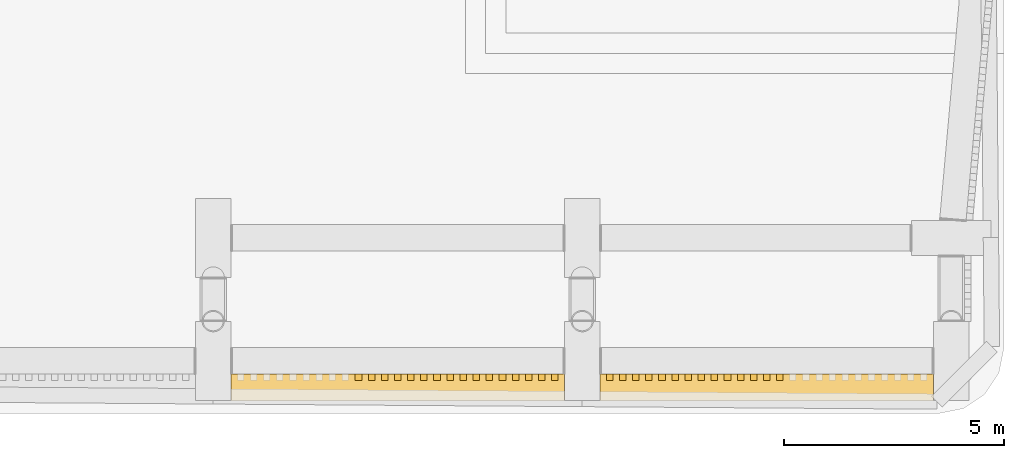
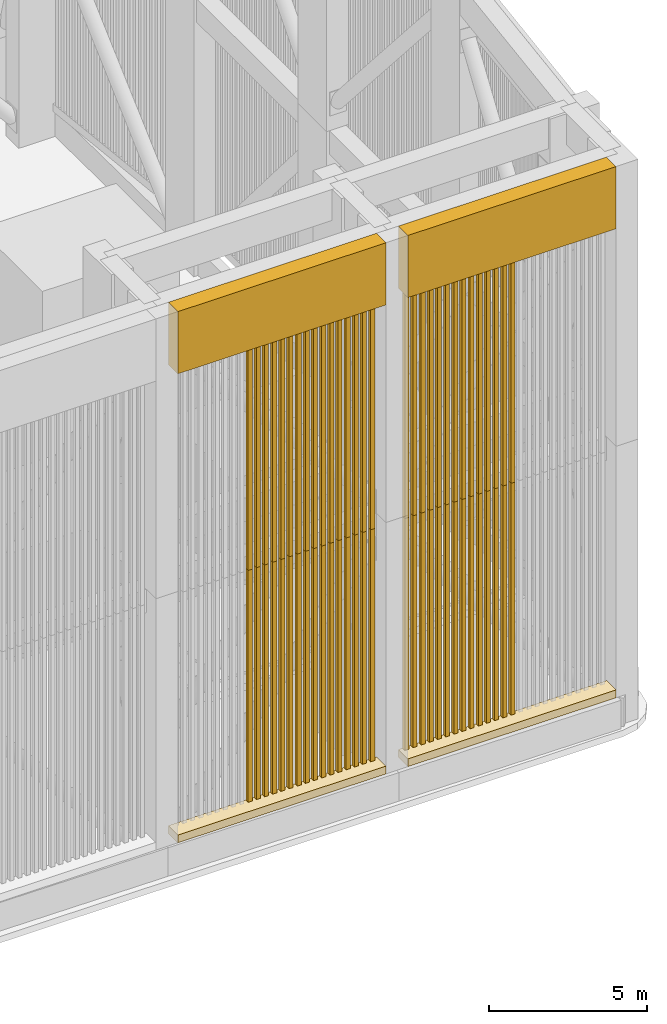
# One storey, part 16 of 27: 60 shading devices, 4 coverings.
"""IFC4 building model written with IfcOpenShell, lengths in metres."""

from ifc_helpers import new_model, si_unit, direction, frame, origin, origin_2d, place, context, subcontext, project, spatial, rectangle, extrude, material, layer, layer_set, type_object, element, save


model = new_model("IFC4")

# Units and contexts
model_context = context("Model", 3, precision=1e-05, world=origin(), true_north=direction((0.0, 1.0)))
body_context = subcontext(model_context, "Body", "Model", "MODEL_VIEW")
ifc_project = project(units=[si_unit("LENGTHUNIT", "METRE"), si_unit("AREAUNIT", "SQUARE_METRE"), si_unit("VOLUMEUNIT", "CUBIC_METRE"), si_unit("PLANEANGLEUNIT", "RADIAN"), si_unit("MASSUNIT", "GRAM", prefix="KILO")], contexts=[model_context])

# Site, building, storey
site_placement = place(None, origin())
site = spatial("IfcSite", under=ifc_project, at=site_placement, CompositionType="ELEMENT")
building_placement = place(site_placement, origin())
building = spatial("IfcBuilding", under=site, at=building_placement, Name="Claustro Exchange Tower", CompositionType="ELEMENT")
storey_placement = place(building_placement, frame((0.0, 0.0, 287.10009765625)))
storey = spatial("IfcBuildingStorey", under=building, at=storey_placement, Name="ROOF", CompositionType="ELEMENT", Elevation=287.10009765625)

# Coverings
ifc_material_1 = material(Name="Concrete HA-40 (C40/50), precast, white cement, acid-etched", Category="concrete")
ifc_layer = layer(ifc_material_1, 0.60009765625)
ifc_layer_set = layer_set([ifc_layer], Name="Concrete HA-40 (C40/50), precast, white cement, acid-etched")
covering_type = type_object("IfcCoveringType", Name="CC2 600 precast concrete crown moulding", PredefinedType="MOLDING", material=ifc_layer_set)
covering_1_placement = place(storey_placement, frame((37.800048828125, 4.99951171875, 1.10009765625), z_axis=(0.0, 0.0, 1.0), x_axis=(1.0, 0.0, 0.0)))
element("IfcCovering", 1, at=covering_1_placement, inside=storey, type_object=covering_type, Name="CROWN SILL CC2 5/A+5600 - 6/A+5600", PredefinedType="MOLDING", context=body_context, shape_type="SweptSolid", body=[
    extrude(rectangle(XDim=7.59912109375, YDim=0.60009765625, at=origin_2d()), origin(), (0.0, 0.0, 1.0), 0.300048828125),
])
covering_2_placement = place(storey_placement, frame((37.800048828125, 4.99951171875, 19.199951171875), z_axis=(0.0, 0.0, 1.0), x_axis=(1.0, 0.0, 0.0)))
element("IfcCovering", 2, at=covering_2_placement, inside=storey, type_object=covering_type, Name="CROWN CORNICE CC2 5/A+5600 - 6/A+5600", PredefinedType="MOLDING", context=body_context, shape_type="SweptSolid", body=[
    extrude(rectangle(XDim=7.59912109375, YDim=0.60009765625, at=origin_2d()), origin(), (0.0, 0.0, 1.0), 2.39990234375),
])
covering_3_placement = place(storey_placement, frame((46.199951171875, 4.99951171875, 1.10009765625), z_axis=(0.0, 0.0, 1.0), x_axis=(1.0, 0.0, 0.0)))
element("IfcCovering", 3, at=covering_3_placement, inside=storey, type_object=covering_type, Name="CROWN SILL CC2 6/A+5600 - 7/A+5600", PredefinedType="MOLDING", context=body_context, shape_type="SweptSolid", body=[
    extrude(rectangle(XDim=7.59912109375, YDim=0.60009765625, at=origin_2d()), origin(), (0.0, 0.0, 1.0), 0.300048828125),
])
covering_4_placement = place(storey_placement, frame((46.199951171875, 4.99951171875, 19.199951171875), z_axis=(0.0, 0.0, 1.0), x_axis=(1.0, 0.0, 0.0)))
element("IfcCovering", 4, at=covering_4_placement, inside=storey, type_object=covering_type, Name="CROWN CORNICE CC2 6/A+5600 - 7/A+5600", PredefinedType="MOLDING", context=body_context, shape_type="SweptSolid", body=[
    extrude(rectangle(XDim=7.59912109375, YDim=0.60009765625, at=origin_2d()), origin(), (0.0, 0.0, 1.0), 2.39990234375),
])

# Shading devices
ifc_material_2 = material(Name="Concrete HA-40 (C40/50), precast, white cement, acid-etched", Category="concrete")
shading_device_type = type_object("IfcShadingDeviceType", Name="LV1 150 x 150 precast concrete crown louvre", PredefinedType="USERDEFINED", material=ifc_material_2)
shading_device_1_placement = place(storey_placement, frame((36.906005859375, 5.224609375, 1.39990234375), z_axis=(0.0, 0.0, 1.0), x_axis=(1.0, 0.0, 0.0)))
element("IfcShadingDevice", 5, at=shading_device_1_placement, inside=storey, type_object=shading_device_type, Name="CROWN LOUVRE LV1 5/A+5600 - 6/A+5600 10 lower", ObjectType="CROWN LOUVRE", PredefinedType="USERDEFINED", context=body_context, shape_type="SweptSolid", body=[
    extrude(rectangle(XDim=0.14990234375, YDim=0.14990234375, at=origin_2d()), origin(), (0.0, 0.0, 1.0), 8.949951171875),
])
shading_device_2_placement = place(storey_placement, frame((36.906005859375, 5.224609375, 10.349853515625), z_axis=(0.0, 0.0, 1.0), x_axis=(1.0, 0.0, 0.0)))
element("IfcShadingDevice", 6, at=shading_device_2_placement, inside=storey, type_object=shading_device_type, Name="CROWN LOUVRE LV1 5/A+5600 - 6/A+5600 10 upper", ObjectType="CROWN LOUVRE", PredefinedType="USERDEFINED", context=body_context, shape_type="SweptSolid", body=[
    extrude(rectangle(XDim=0.14990234375, YDim=0.14990234375, at=origin_2d()), origin(), (0.0, 0.0, 1.0), 8.85009765625),
])
shading_device_3_placement = place(storey_placement, frame((37.203857421875, 5.224609375, 1.39990234375), z_axis=(0.0, 0.0, 1.0), x_axis=(1.0, 0.0, 0.0)))
element("IfcShadingDevice", 7, at=shading_device_3_placement, inside=storey, type_object=shading_device_type, Name="CROWN LOUVRE LV1 5/A+5600 - 6/A+5600 11 lower", ObjectType="CROWN LOUVRE", PredefinedType="USERDEFINED", context=body_context, shape_type="SweptSolid", body=[
    extrude(rectangle(XDim=0.14990234375, YDim=0.14990234375, at=origin_2d()), origin(), (0.0, 0.0, 1.0), 8.949951171875),
])
shading_device_4_placement = place(storey_placement, frame((37.203857421875, 5.224609375, 10.349853515625), z_axis=(0.0, 0.0, 1.0), x_axis=(1.0, 0.0, 0.0)))
element("IfcShadingDevice", 8, at=shading_device_4_placement, inside=storey, type_object=shading_device_type, Name="CROWN LOUVRE LV1 5/A+5600 - 6/A+5600 11 upper", ObjectType="CROWN LOUVRE", PredefinedType="USERDEFINED", context=body_context, shape_type="SweptSolid", body=[
    extrude(rectangle(XDim=0.14990234375, YDim=0.14990234375, at=origin_2d()), origin(), (0.0, 0.0, 1.0), 8.85009765625),
])
shading_device_5_placement = place(storey_placement, frame((37.501953125, 5.224609375, 1.39990234375), z_axis=(0.0, 0.0, 1.0), x_axis=(1.0, 0.0, 0.0)))
element("IfcShadingDevice", 9, at=shading_device_5_placement, inside=storey, type_object=shading_device_type, Name="CROWN LOUVRE LV1 5/A+5600 - 6/A+5600 12 lower", ObjectType="CROWN LOUVRE", PredefinedType="USERDEFINED", context=body_context, shape_type="SweptSolid", body=[
    extrude(rectangle(XDim=0.14990234375, YDim=0.14990234375, at=origin_2d()), origin(), (0.0, 0.0, 1.0), 8.949951171875),
])
shading_device_6_placement = place(storey_placement, frame((37.501953125, 5.224609375, 10.349853515625), z_axis=(0.0, 0.0, 1.0), x_axis=(1.0, 0.0, 0.0)))
element("IfcShadingDevice", 10, at=shading_device_6_placement, inside=storey, type_object=shading_device_type, Name="CROWN LOUVRE LV1 5/A+5600 - 6/A+5600 12 upper", ObjectType="CROWN LOUVRE", PredefinedType="USERDEFINED", context=body_context, shape_type="SweptSolid", body=[
    extrude(rectangle(XDim=0.14990234375, YDim=0.14990234375, at=origin_2d()), origin(), (0.0, 0.0, 1.0), 8.85009765625),
])
shading_device_7_placement = place(storey_placement, frame((37.800048828125, 5.224609375, 1.39990234375), z_axis=(0.0, 0.0, 1.0), x_axis=(1.0, 0.0, 0.0)))
element("IfcShadingDevice", 11, at=shading_device_7_placement, inside=storey, type_object=shading_device_type, Name="CROWN LOUVRE LV1 5/A+5600 - 6/A+5600 13 lower", ObjectType="CROWN LOUVRE", PredefinedType="USERDEFINED", context=body_context, shape_type="SweptSolid", body=[
    extrude(rectangle(XDim=0.14990234375, YDim=0.14990234375, at=origin_2d()), origin(), (0.0, 0.0, 1.0), 8.949951171875),
])
shading_device_8_placement = place(storey_placement, frame((37.800048828125, 5.224609375, 10.349853515625), z_axis=(0.0, 0.0, 1.0), x_axis=(1.0, 0.0, 0.0)))
element("IfcShadingDevice", 12, at=shading_device_8_placement, inside=storey, type_object=shading_device_type, Name="CROWN LOUVRE LV1 5/A+5600 - 6/A+5600 13 upper", ObjectType="CROWN LOUVRE", PredefinedType="USERDEFINED", context=body_context, shape_type="SweptSolid", body=[
    extrude(rectangle(XDim=0.14990234375, YDim=0.14990234375, at=origin_2d()), origin(), (0.0, 0.0, 1.0), 8.85009765625),
])
shading_device_9_placement = place(storey_placement, frame((38.097900390625, 5.224609375, 1.39990234375), z_axis=(0.0, 0.0, 1.0), x_axis=(1.0, 0.0, 0.0)))
element("IfcShadingDevice", 13, at=shading_device_9_placement, inside=storey, type_object=shading_device_type, Name="CROWN LOUVRE LV1 5/A+5600 - 6/A+5600 14 lower", ObjectType="CROWN LOUVRE", PredefinedType="USERDEFINED", context=body_context, shape_type="SweptSolid", body=[
    extrude(rectangle(XDim=0.14990234375, YDim=0.14990234375, at=origin_2d()), origin(), (0.0, 0.0, 1.0), 8.949951171875),
])
shading_device_10_placement = place(storey_placement, frame((38.097900390625, 5.224609375, 10.349853515625), z_axis=(0.0, 0.0, 1.0), x_axis=(1.0, 0.0, 0.0)))
element("IfcShadingDevice", 14, at=shading_device_10_placement, inside=storey, type_object=shading_device_type, Name="CROWN LOUVRE LV1 5/A+5600 - 6/A+5600 14 upper", ObjectType="CROWN LOUVRE", PredefinedType="USERDEFINED", context=body_context, shape_type="SweptSolid", body=[
    extrude(rectangle(XDim=0.14990234375, YDim=0.14990234375, at=origin_2d()), origin(), (0.0, 0.0, 1.0), 8.85009765625),
])
shading_device_11_placement = place(storey_placement, frame((38.39599609375, 5.224609375, 1.39990234375), z_axis=(0.0, 0.0, 1.0), x_axis=(1.0, 0.0, 0.0)))
element("IfcShadingDevice", 15, at=shading_device_11_placement, inside=storey, type_object=shading_device_type, Name="CROWN LOUVRE LV1 5/A+5600 - 6/A+5600 15 lower", ObjectType="CROWN LOUVRE", PredefinedType="USERDEFINED", context=body_context, shape_type="SweptSolid", body=[
    extrude(rectangle(XDim=0.14990234375, YDim=0.14990234375, at=origin_2d()), origin(), (0.0, 0.0, 1.0), 8.949951171875),
])
shading_device_12_placement = place(storey_placement, frame((38.39599609375, 5.224609375, 10.349853515625), z_axis=(0.0, 0.0, 1.0), x_axis=(1.0, 0.0, 0.0)))
element("IfcShadingDevice", 16, at=shading_device_12_placement, inside=storey, type_object=shading_device_type, Name="CROWN LOUVRE LV1 5/A+5600 - 6/A+5600 15 upper", ObjectType="CROWN LOUVRE", PredefinedType="USERDEFINED", context=body_context, shape_type="SweptSolid", body=[
    extrude(rectangle(XDim=0.14990234375, YDim=0.14990234375, at=origin_2d()), origin(), (0.0, 0.0, 1.0), 8.85009765625),
])
shading_device_13_placement = place(storey_placement, frame((38.694091796875, 5.224609375, 1.39990234375), z_axis=(0.0, 0.0, 1.0), x_axis=(1.0, 0.0, 0.0)))
element("IfcShadingDevice", 17, at=shading_device_13_placement, inside=storey, type_object=shading_device_type, Name="CROWN LOUVRE LV1 5/A+5600 - 6/A+5600 16 lower", ObjectType="CROWN LOUVRE", PredefinedType="USERDEFINED", context=body_context, shape_type="SweptSolid", body=[
    extrude(rectangle(XDim=0.14990234375, YDim=0.14990234375, at=origin_2d()), origin(), (0.0, 0.0, 1.0), 8.949951171875),
])
shading_device_14_placement = place(storey_placement, frame((38.694091796875, 5.224609375, 10.349853515625), z_axis=(0.0, 0.0, 1.0), x_axis=(1.0, 0.0, 0.0)))
element("IfcShadingDevice", 18, at=shading_device_14_placement, inside=storey, type_object=shading_device_type, Name="CROWN LOUVRE LV1 5/A+5600 - 6/A+5600 16 upper", ObjectType="CROWN LOUVRE", PredefinedType="USERDEFINED", context=body_context, shape_type="SweptSolid", body=[
    extrude(rectangle(XDim=0.14990234375, YDim=0.14990234375, at=origin_2d()), origin(), (0.0, 0.0, 1.0), 8.85009765625),
])
shading_device_15_placement = place(storey_placement, frame((38.9921875, 5.224609375, 1.39990234375), z_axis=(0.0, 0.0, 1.0), x_axis=(1.0, 0.0, 0.0)))
element("IfcShadingDevice", 19, at=shading_device_15_placement, inside=storey, type_object=shading_device_type, Name="CROWN LOUVRE LV1 5/A+5600 - 6/A+5600 17 lower", ObjectType="CROWN LOUVRE", PredefinedType="USERDEFINED", context=body_context, shape_type="SweptSolid", body=[
    extrude(rectangle(XDim=0.14990234375, YDim=0.14990234375, at=origin_2d()), origin(), (0.0, 0.0, 1.0), 8.949951171875),
])
shading_device_16_placement = place(storey_placement, frame((38.9921875, 5.224609375, 10.349853515625), z_axis=(0.0, 0.0, 1.0), x_axis=(1.0, 0.0, 0.0)))
element("IfcShadingDevice", 20, at=shading_device_16_placement, inside=storey, type_object=shading_device_type, Name="CROWN LOUVRE LV1 5/A+5600 - 6/A+5600 17 upper", ObjectType="CROWN LOUVRE", PredefinedType="USERDEFINED", context=body_context, shape_type="SweptSolid", body=[
    extrude(rectangle(XDim=0.14990234375, YDim=0.14990234375, at=origin_2d()), origin(), (0.0, 0.0, 1.0), 8.85009765625),
])
shading_device_17_placement = place(storey_placement, frame((39.290283203125, 5.224609375, 1.39990234375), z_axis=(0.0, 0.0, 1.0), x_axis=(1.0, 0.0, 0.0)))
element("IfcShadingDevice", 21, at=shading_device_17_placement, inside=storey, type_object=shading_device_type, Name="CROWN LOUVRE LV1 5/A+5600 - 6/A+5600 18 lower", ObjectType="CROWN LOUVRE", PredefinedType="USERDEFINED", context=body_context, shape_type="SweptSolid", body=[
    extrude(rectangle(XDim=0.14990234375, YDim=0.14990234375, at=origin_2d()), origin(), (0.0, 0.0, 1.0), 8.949951171875),
])
shading_device_18_placement = place(storey_placement, frame((39.290283203125, 5.224609375, 10.349853515625), z_axis=(0.0, 0.0, 1.0), x_axis=(1.0, 0.0, 0.0)))
element("IfcShadingDevice", 22, at=shading_device_18_placement, inside=storey, type_object=shading_device_type, Name="CROWN LOUVRE LV1 5/A+5600 - 6/A+5600 18 upper", ObjectType="CROWN LOUVRE", PredefinedType="USERDEFINED", context=body_context, shape_type="SweptSolid", body=[
    extrude(rectangle(XDim=0.14990234375, YDim=0.14990234375, at=origin_2d()), origin(), (0.0, 0.0, 1.0), 8.85009765625),
])
shading_device_19_placement = place(storey_placement, frame((39.588134765625, 5.224609375, 1.39990234375), z_axis=(0.0, 0.0, 1.0), x_axis=(1.0, 0.0, 0.0)))
element("IfcShadingDevice", 23, at=shading_device_19_placement, inside=storey, type_object=shading_device_type, Name="CROWN LOUVRE LV1 5/A+5600 - 6/A+5600 19 lower", ObjectType="CROWN LOUVRE", PredefinedType="USERDEFINED", context=body_context, shape_type="SweptSolid", body=[
    extrude(rectangle(XDim=0.14990234375, YDim=0.14990234375, at=origin_2d()), origin(), (0.0, 0.0, 1.0), 8.949951171875),
])
shading_device_20_placement = place(storey_placement, frame((39.588134765625, 5.224609375, 10.349853515625), z_axis=(0.0, 0.0, 1.0), x_axis=(1.0, 0.0, 0.0)))
element("IfcShadingDevice", 24, at=shading_device_20_placement, inside=storey, type_object=shading_device_type, Name="CROWN LOUVRE LV1 5/A+5600 - 6/A+5600 19 upper", ObjectType="CROWN LOUVRE", PredefinedType="USERDEFINED", context=body_context, shape_type="SweptSolid", body=[
    extrude(rectangle(XDim=0.14990234375, YDim=0.14990234375, at=origin_2d()), origin(), (0.0, 0.0, 1.0), 8.85009765625),
])
shading_device_21_placement = place(storey_placement, frame((39.88623046875, 5.224609375, 1.39990234375), z_axis=(0.0, 0.0, 1.0), x_axis=(1.0, 0.0, 0.0)))
element("IfcShadingDevice", 25, at=shading_device_21_placement, inside=storey, type_object=shading_device_type, Name="CROWN LOUVRE LV1 5/A+5600 - 6/A+5600 20 lower", ObjectType="CROWN LOUVRE", PredefinedType="USERDEFINED", context=body_context, shape_type="SweptSolid", body=[
    extrude(rectangle(XDim=0.14990234375, YDim=0.14990234375, at=origin_2d()), origin(), (0.0, 0.0, 1.0), 8.949951171875),
])
shading_device_22_placement = place(storey_placement, frame((39.88623046875, 5.224609375, 10.349853515625), z_axis=(0.0, 0.0, 1.0), x_axis=(1.0, 0.0, 0.0)))
element("IfcShadingDevice", 26, at=shading_device_22_placement, inside=storey, type_object=shading_device_type, Name="CROWN LOUVRE LV1 5/A+5600 - 6/A+5600 20 upper", ObjectType="CROWN LOUVRE", PredefinedType="USERDEFINED", context=body_context, shape_type="SweptSolid", body=[
    extrude(rectangle(XDim=0.14990234375, YDim=0.14990234375, at=origin_2d()), origin(), (0.0, 0.0, 1.0), 8.85009765625),
])
shading_device_23_placement = place(storey_placement, frame((40.184326171875, 5.224609375, 1.39990234375), z_axis=(0.0, 0.0, 1.0), x_axis=(1.0, 0.0, 0.0)))
element("IfcShadingDevice", 27, at=shading_device_23_placement, inside=storey, type_object=shading_device_type, Name="CROWN LOUVRE LV1 5/A+5600 - 6/A+5600 21 lower", ObjectType="CROWN LOUVRE", PredefinedType="USERDEFINED", context=body_context, shape_type="SweptSolid", body=[
    extrude(rectangle(XDim=0.14990234375, YDim=0.14990234375, at=origin_2d()), origin(), (0.0, 0.0, 1.0), 8.949951171875),
])
shading_device_24_placement = place(storey_placement, frame((40.184326171875, 5.224609375, 10.349853515625), z_axis=(0.0, 0.0, 1.0), x_axis=(1.0, 0.0, 0.0)))
element("IfcShadingDevice", 28, at=shading_device_24_placement, inside=storey, type_object=shading_device_type, Name="CROWN LOUVRE LV1 5/A+5600 - 6/A+5600 21 upper", ObjectType="CROWN LOUVRE", PredefinedType="USERDEFINED", context=body_context, shape_type="SweptSolid", body=[
    extrude(rectangle(XDim=0.14990234375, YDim=0.14990234375, at=origin_2d()), origin(), (0.0, 0.0, 1.0), 8.85009765625),
])
shading_device_25_placement = place(storey_placement, frame((40.482421875, 5.224609375, 1.39990234375), z_axis=(0.0, 0.0, 1.0), x_axis=(1.0, 0.0, 0.0)))
element("IfcShadingDevice", 29, at=shading_device_25_placement, inside=storey, type_object=shading_device_type, Name="CROWN LOUVRE LV1 5/A+5600 - 6/A+5600 22 lower", ObjectType="CROWN LOUVRE", PredefinedType="USERDEFINED", context=body_context, shape_type="SweptSolid", body=[
    extrude(rectangle(XDim=0.14990234375, YDim=0.14990234375, at=origin_2d()), origin(), (0.0, 0.0, 1.0), 8.949951171875),
])
shading_device_26_placement = place(storey_placement, frame((40.482421875, 5.224609375, 10.349853515625), z_axis=(0.0, 0.0, 1.0), x_axis=(1.0, 0.0, 0.0)))
element("IfcShadingDevice", 30, at=shading_device_26_placement, inside=storey, type_object=shading_device_type, Name="CROWN LOUVRE LV1 5/A+5600 - 6/A+5600 22 upper", ObjectType="CROWN LOUVRE", PredefinedType="USERDEFINED", context=body_context, shape_type="SweptSolid", body=[
    extrude(rectangle(XDim=0.14990234375, YDim=0.14990234375, at=origin_2d()), origin(), (0.0, 0.0, 1.0), 8.85009765625),
])
shading_device_27_placement = place(storey_placement, frame((40.780517578125, 5.224609375, 1.39990234375), z_axis=(0.0, 0.0, 1.0), x_axis=(1.0, 0.0, 0.0)))
element("IfcShadingDevice", 31, at=shading_device_27_placement, inside=storey, type_object=shading_device_type, Name="CROWN LOUVRE LV1 5/A+5600 - 6/A+5600 23 lower", ObjectType="CROWN LOUVRE", PredefinedType="USERDEFINED", context=body_context, shape_type="SweptSolid", body=[
    extrude(rectangle(XDim=0.14990234375, YDim=0.14990234375, at=origin_2d()), origin(), (0.0, 0.0, 1.0), 8.949951171875),
])
shading_device_28_placement = place(storey_placement, frame((40.780517578125, 5.224609375, 10.349853515625), z_axis=(0.0, 0.0, 1.0), x_axis=(1.0, 0.0, 0.0)))
element("IfcShadingDevice", 32, at=shading_device_28_placement, inside=storey, type_object=shading_device_type, Name="CROWN LOUVRE LV1 5/A+5600 - 6/A+5600 23 upper", ObjectType="CROWN LOUVRE", PredefinedType="USERDEFINED", context=body_context, shape_type="SweptSolid", body=[
    extrude(rectangle(XDim=0.14990234375, YDim=0.14990234375, at=origin_2d()), origin(), (0.0, 0.0, 1.0), 8.85009765625),
])
shading_device_29_placement = place(storey_placement, frame((41.078369140625, 5.224609375, 1.39990234375), z_axis=(0.0, 0.0, 1.0), x_axis=(1.0, 0.0, 0.0)))
element("IfcShadingDevice", 33, at=shading_device_29_placement, inside=storey, type_object=shading_device_type, Name="CROWN LOUVRE LV1 5/A+5600 - 6/A+5600 24 lower", ObjectType="CROWN LOUVRE", PredefinedType="USERDEFINED", context=body_context, shape_type="SweptSolid", body=[
    extrude(rectangle(XDim=0.14990234375, YDim=0.14990234375, at=origin_2d()), origin(), (0.0, 0.0, 1.0), 8.949951171875),
])
shading_device_30_placement = place(storey_placement, frame((41.078369140625, 5.224609375, 10.349853515625), z_axis=(0.0, 0.0, 1.0), x_axis=(1.0, 0.0, 0.0)))
element("IfcShadingDevice", 34, at=shading_device_30_placement, inside=storey, type_object=shading_device_type, Name="CROWN LOUVRE LV1 5/A+5600 - 6/A+5600 24 upper", ObjectType="CROWN LOUVRE", PredefinedType="USERDEFINED", context=body_context, shape_type="SweptSolid", body=[
    extrude(rectangle(XDim=0.14990234375, YDim=0.14990234375, at=origin_2d()), origin(), (0.0, 0.0, 1.0), 8.85009765625),
])
shading_device_31_placement = place(storey_placement, frame((41.37646484375, 5.224609375, 1.39990234375), z_axis=(0.0, 0.0, 1.0), x_axis=(1.0, 0.0, 0.0)))
element("IfcShadingDevice", 35, at=shading_device_31_placement, inside=storey, type_object=shading_device_type, Name="CROWN LOUVRE LV1 5/A+5600 - 6/A+5600 25 lower", ObjectType="CROWN LOUVRE", PredefinedType="USERDEFINED", context=body_context, shape_type="SweptSolid", body=[
    extrude(rectangle(XDim=0.14990234375, YDim=0.14990234375, at=origin_2d()), origin(), (0.0, 0.0, 1.0), 8.949951171875),
])
shading_device_32_placement = place(storey_placement, frame((41.37646484375, 5.224609375, 10.349853515625), z_axis=(0.0, 0.0, 1.0), x_axis=(1.0, 0.0, 0.0)))
element("IfcShadingDevice", 36, at=shading_device_32_placement, inside=storey, type_object=shading_device_type, Name="CROWN LOUVRE LV1 5/A+5600 - 6/A+5600 25 upper", ObjectType="CROWN LOUVRE", PredefinedType="USERDEFINED", context=body_context, shape_type="SweptSolid", body=[
    extrude(rectangle(XDim=0.14990234375, YDim=0.14990234375, at=origin_2d()), origin(), (0.0, 0.0, 1.0), 8.85009765625),
])
shading_device_33_placement = place(storey_placement, frame((42.62353515625, 5.224609375, 1.39990234375), z_axis=(0.0, 0.0, 1.0), x_axis=(1.0, 0.0, 0.0)))
element("IfcShadingDevice", 37, at=shading_device_33_placement, inside=storey, type_object=shading_device_type, Name="CROWN LOUVRE LV1 6/A+5600 - 7/A+5600 01 lower", ObjectType="CROWN LOUVRE", PredefinedType="USERDEFINED", context=body_context, shape_type="SweptSolid", body=[
    extrude(rectangle(XDim=0.14990234375, YDim=0.14990234375, at=origin_2d()), origin(), (0.0, 0.0, 1.0), 8.949951171875),
])
shading_device_34_placement = place(storey_placement, frame((42.62353515625, 5.224609375, 10.349853515625), z_axis=(0.0, 0.0, 1.0), x_axis=(1.0, 0.0, 0.0)))
element("IfcShadingDevice", 38, at=shading_device_34_placement, inside=storey, type_object=shading_device_type, Name="CROWN LOUVRE LV1 6/A+5600 - 7/A+5600 01 upper", ObjectType="CROWN LOUVRE", PredefinedType="USERDEFINED", context=body_context, shape_type="SweptSolid", body=[
    extrude(rectangle(XDim=0.14990234375, YDim=0.14990234375, at=origin_2d()), origin(), (0.0, 0.0, 1.0), 8.85009765625),
])
shading_device_35_placement = place(storey_placement, frame((42.921630859375, 5.224609375, 1.39990234375), z_axis=(0.0, 0.0, 1.0), x_axis=(1.0, 0.0, 0.0)))
element("IfcShadingDevice", 39, at=shading_device_35_placement, inside=storey, type_object=shading_device_type, Name="CROWN LOUVRE LV1 6/A+5600 - 7/A+5600 02 lower", ObjectType="CROWN LOUVRE", PredefinedType="USERDEFINED", context=body_context, shape_type="SweptSolid", body=[
    extrude(rectangle(XDim=0.14990234375, YDim=0.14990234375, at=origin_2d()), origin(), (0.0, 0.0, 1.0), 8.949951171875),
])
shading_device_36_placement = place(storey_placement, frame((42.921630859375, 5.224609375, 10.349853515625), z_axis=(0.0, 0.0, 1.0), x_axis=(1.0, 0.0, 0.0)))
element("IfcShadingDevice", 40, at=shading_device_36_placement, inside=storey, type_object=shading_device_type, Name="CROWN LOUVRE LV1 6/A+5600 - 7/A+5600 02 upper", ObjectType="CROWN LOUVRE", PredefinedType="USERDEFINED", context=body_context, shape_type="SweptSolid", body=[
    extrude(rectangle(XDim=0.14990234375, YDim=0.14990234375, at=origin_2d()), origin(), (0.0, 0.0, 1.0), 8.85009765625),
])
shading_device_37_placement = place(storey_placement, frame((43.219482421875, 5.224609375, 1.39990234375), z_axis=(0.0, 0.0, 1.0), x_axis=(1.0, 0.0, 0.0)))
element("IfcShadingDevice", 41, at=shading_device_37_placement, inside=storey, type_object=shading_device_type, Name="CROWN LOUVRE LV1 6/A+5600 - 7/A+5600 03 lower", ObjectType="CROWN LOUVRE", PredefinedType="USERDEFINED", context=body_context, shape_type="SweptSolid", body=[
    extrude(rectangle(XDim=0.14990234375, YDim=0.14990234375, at=origin_2d()), origin(), (0.0, 0.0, 1.0), 8.949951171875),
])
shading_device_38_placement = place(storey_placement, frame((43.219482421875, 5.224609375, 10.349853515625), z_axis=(0.0, 0.0, 1.0), x_axis=(1.0, 0.0, 0.0)))
element("IfcShadingDevice", 42, at=shading_device_38_placement, inside=storey, type_object=shading_device_type, Name="CROWN LOUVRE LV1 6/A+5600 - 7/A+5600 03 upper", ObjectType="CROWN LOUVRE", PredefinedType="USERDEFINED", context=body_context, shape_type="SweptSolid", body=[
    extrude(rectangle(XDim=0.14990234375, YDim=0.14990234375, at=origin_2d()), origin(), (0.0, 0.0, 1.0), 8.85009765625),
])
shading_device_39_placement = place(storey_placement, frame((43.517578125, 5.224609375, 1.39990234375), z_axis=(0.0, 0.0, 1.0), x_axis=(1.0, 0.0, 0.0)))
element("IfcShadingDevice", 43, at=shading_device_39_placement, inside=storey, type_object=shading_device_type, Name="CROWN LOUVRE LV1 6/A+5600 - 7/A+5600 04 lower", ObjectType="CROWN LOUVRE", PredefinedType="USERDEFINED", context=body_context, shape_type="SweptSolid", body=[
    extrude(rectangle(XDim=0.14990234375, YDim=0.14990234375, at=origin_2d()), origin(), (0.0, 0.0, 1.0), 8.949951171875),
])
shading_device_40_placement = place(storey_placement, frame((43.517578125, 5.224609375, 10.349853515625), z_axis=(0.0, 0.0, 1.0), x_axis=(1.0, 0.0, 0.0)))
element("IfcShadingDevice", 44, at=shading_device_40_placement, inside=storey, type_object=shading_device_type, Name="CROWN LOUVRE LV1 6/A+5600 - 7/A+5600 04 upper", ObjectType="CROWN LOUVRE", PredefinedType="USERDEFINED", context=body_context, shape_type="SweptSolid", body=[
    extrude(rectangle(XDim=0.14990234375, YDim=0.14990234375, at=origin_2d()), origin(), (0.0, 0.0, 1.0), 8.85009765625),
])
shading_device_41_placement = place(storey_placement, frame((43.815673828125, 5.224609375, 1.39990234375), z_axis=(0.0, 0.0, 1.0), x_axis=(1.0, 0.0, 0.0)))
element("IfcShadingDevice", 45, at=shading_device_41_placement, inside=storey, type_object=shading_device_type, Name="CROWN LOUVRE LV1 6/A+5600 - 7/A+5600 05 lower", ObjectType="CROWN LOUVRE", PredefinedType="USERDEFINED", context=body_context, shape_type="SweptSolid", body=[
    extrude(rectangle(XDim=0.14990234375, YDim=0.14990234375, at=origin_2d()), origin(), (0.0, 0.0, 1.0), 8.949951171875),
])
shading_device_42_placement = place(storey_placement, frame((43.815673828125, 5.224609375, 10.349853515625), z_axis=(0.0, 0.0, 1.0), x_axis=(1.0, 0.0, 0.0)))
element("IfcShadingDevice", 46, at=shading_device_42_placement, inside=storey, type_object=shading_device_type, Name="CROWN LOUVRE LV1 6/A+5600 - 7/A+5600 05 upper", ObjectType="CROWN LOUVRE", PredefinedType="USERDEFINED", context=body_context, shape_type="SweptSolid", body=[
    extrude(rectangle(XDim=0.14990234375, YDim=0.14990234375, at=origin_2d()), origin(), (0.0, 0.0, 1.0), 8.85009765625),
])
shading_device_43_placement = place(storey_placement, frame((44.11376953125, 5.224609375, 1.39990234375), z_axis=(0.0, 0.0, 1.0), x_axis=(1.0, 0.0, 0.0)))
element("IfcShadingDevice", 47, at=shading_device_43_placement, inside=storey, type_object=shading_device_type, Name="CROWN LOUVRE LV1 6/A+5600 - 7/A+5600 06 lower", ObjectType="CROWN LOUVRE", PredefinedType="USERDEFINED", context=body_context, shape_type="SweptSolid", body=[
    extrude(rectangle(XDim=0.14990234375, YDim=0.14990234375, at=origin_2d()), origin(), (0.0, 0.0, 1.0), 8.949951171875),
])
shading_device_44_placement = place(storey_placement, frame((44.11376953125, 5.224609375, 10.349853515625), z_axis=(0.0, 0.0, 1.0), x_axis=(1.0, 0.0, 0.0)))
element("IfcShadingDevice", 48, at=shading_device_44_placement, inside=storey, type_object=shading_device_type, Name="CROWN LOUVRE LV1 6/A+5600 - 7/A+5600 06 upper", ObjectType="CROWN LOUVRE", PredefinedType="USERDEFINED", context=body_context, shape_type="SweptSolid", body=[
    extrude(rectangle(XDim=0.14990234375, YDim=0.14990234375, at=origin_2d()), origin(), (0.0, 0.0, 1.0), 8.85009765625),
])
shading_device_45_placement = place(storey_placement, frame((44.411865234375, 5.224609375, 1.39990234375), z_axis=(0.0, 0.0, 1.0), x_axis=(1.0, 0.0, 0.0)))
element("IfcShadingDevice", 49, at=shading_device_45_placement, inside=storey, type_object=shading_device_type, Name="CROWN LOUVRE LV1 6/A+5600 - 7/A+5600 07 lower", ObjectType="CROWN LOUVRE", PredefinedType="USERDEFINED", context=body_context, shape_type="SweptSolid", body=[
    extrude(rectangle(XDim=0.14990234375, YDim=0.14990234375, at=origin_2d()), origin(), (0.0, 0.0, 1.0), 8.949951171875),
])
shading_device_46_placement = place(storey_placement, frame((44.411865234375, 5.224609375, 10.349853515625), z_axis=(0.0, 0.0, 1.0), x_axis=(1.0, 0.0, 0.0)))
element("IfcShadingDevice", 50, at=shading_device_46_placement, inside=storey, type_object=shading_device_type, Name="CROWN LOUVRE LV1 6/A+5600 - 7/A+5600 07 upper", ObjectType="CROWN LOUVRE", PredefinedType="USERDEFINED", context=body_context, shape_type="SweptSolid", body=[
    extrude(rectangle(XDim=0.14990234375, YDim=0.14990234375, at=origin_2d()), origin(), (0.0, 0.0, 1.0), 8.85009765625),
])
shading_device_47_placement = place(storey_placement, frame((44.709716796875, 5.224609375, 1.39990234375), z_axis=(0.0, 0.0, 1.0), x_axis=(1.0, 0.0, 0.0)))
element("IfcShadingDevice", 51, at=shading_device_47_placement, inside=storey, type_object=shading_device_type, Name="CROWN LOUVRE LV1 6/A+5600 - 7/A+5600 08 lower", ObjectType="CROWN LOUVRE", PredefinedType="USERDEFINED", context=body_context, shape_type="SweptSolid", body=[
    extrude(rectangle(XDim=0.14990234375, YDim=0.14990234375, at=origin_2d()), origin(), (0.0, 0.0, 1.0), 8.949951171875),
])
shading_device_48_placement = place(storey_placement, frame((44.709716796875, 5.224609375, 10.349853515625), z_axis=(0.0, 0.0, 1.0), x_axis=(1.0, 0.0, 0.0)))
element("IfcShadingDevice", 52, at=shading_device_48_placement, inside=storey, type_object=shading_device_type, Name="CROWN LOUVRE LV1 6/A+5600 - 7/A+5600 08 upper", ObjectType="CROWN LOUVRE", PredefinedType="USERDEFINED", context=body_context, shape_type="SweptSolid", body=[
    extrude(rectangle(XDim=0.14990234375, YDim=0.14990234375, at=origin_2d()), origin(), (0.0, 0.0, 1.0), 8.85009765625),
])
shading_device_49_placement = place(storey_placement, frame((45.0078125, 5.224609375, 1.39990234375), z_axis=(0.0, 0.0, 1.0), x_axis=(1.0, 0.0, 0.0)))
element("IfcShadingDevice", 53, at=shading_device_49_placement, inside=storey, type_object=shading_device_type, Name="CROWN LOUVRE LV1 6/A+5600 - 7/A+5600 09 lower", ObjectType="CROWN LOUVRE", PredefinedType="USERDEFINED", context=body_context, shape_type="SweptSolid", body=[
    extrude(rectangle(XDim=0.14990234375, YDim=0.14990234375, at=origin_2d()), origin(), (0.0, 0.0, 1.0), 8.949951171875),
])
shading_device_50_placement = place(storey_placement, frame((45.0078125, 5.224609375, 10.349853515625), z_axis=(0.0, 0.0, 1.0), x_axis=(1.0, 0.0, 0.0)))
element("IfcShadingDevice", 54, at=shading_device_50_placement, inside=storey, type_object=shading_device_type, Name="CROWN LOUVRE LV1 6/A+5600 - 7/A+5600 09 upper", ObjectType="CROWN LOUVRE", PredefinedType="USERDEFINED", context=body_context, shape_type="SweptSolid", body=[
    extrude(rectangle(XDim=0.14990234375, YDim=0.14990234375, at=origin_2d()), origin(), (0.0, 0.0, 1.0), 8.85009765625),
])
shading_device_51_placement = place(storey_placement, frame((45.305908203125, 5.224609375, 1.39990234375), z_axis=(0.0, 0.0, 1.0), x_axis=(1.0, 0.0, 0.0)))
element("IfcShadingDevice", 55, at=shading_device_51_placement, inside=storey, type_object=shading_device_type, Name="CROWN LOUVRE LV1 6/A+5600 - 7/A+5600 10 lower", ObjectType="CROWN LOUVRE", PredefinedType="USERDEFINED", context=body_context, shape_type="SweptSolid", body=[
    extrude(rectangle(XDim=0.14990234375, YDim=0.14990234375, at=origin_2d()), origin(), (0.0, 0.0, 1.0), 8.949951171875),
])
shading_device_52_placement = place(storey_placement, frame((45.305908203125, 5.224609375, 10.349853515625), z_axis=(0.0, 0.0, 1.0), x_axis=(1.0, 0.0, 0.0)))
element("IfcShadingDevice", 56, at=shading_device_52_placement, inside=storey, type_object=shading_device_type, Name="CROWN LOUVRE LV1 6/A+5600 - 7/A+5600 10 upper", ObjectType="CROWN LOUVRE", PredefinedType="USERDEFINED", context=body_context, shape_type="SweptSolid", body=[
    extrude(rectangle(XDim=0.14990234375, YDim=0.14990234375, at=origin_2d()), origin(), (0.0, 0.0, 1.0), 8.85009765625),
])
shading_device_53_placement = place(storey_placement, frame((45.60400390625, 5.224609375, 1.39990234375), z_axis=(0.0, 0.0, 1.0), x_axis=(1.0, 0.0, 0.0)))
element("IfcShadingDevice", 57, at=shading_device_53_placement, inside=storey, type_object=shading_device_type, Name="CROWN LOUVRE LV1 6/A+5600 - 7/A+5600 11 lower", ObjectType="CROWN LOUVRE", PredefinedType="USERDEFINED", context=body_context, shape_type="SweptSolid", body=[
    extrude(rectangle(XDim=0.14990234375, YDim=0.14990234375, at=origin_2d()), origin(), (0.0, 0.0, 1.0), 8.949951171875),
])
shading_device_54_placement = place(storey_placement, frame((45.60400390625, 5.224609375, 10.349853515625), z_axis=(0.0, 0.0, 1.0), x_axis=(1.0, 0.0, 0.0)))
element("IfcShadingDevice", 58, at=shading_device_54_placement, inside=storey, type_object=shading_device_type, Name="CROWN LOUVRE LV1 6/A+5600 - 7/A+5600 11 upper", ObjectType="CROWN LOUVRE", PredefinedType="USERDEFINED", context=body_context, shape_type="SweptSolid", body=[
    extrude(rectangle(XDim=0.14990234375, YDim=0.14990234375, at=origin_2d()), origin(), (0.0, 0.0, 1.0), 8.85009765625),
])
shading_device_55_placement = place(storey_placement, frame((45.902099609375, 5.224609375, 1.39990234375), z_axis=(0.0, 0.0, 1.0), x_axis=(1.0, 0.0, 0.0)))
element("IfcShadingDevice", 59, at=shading_device_55_placement, inside=storey, type_object=shading_device_type, Name="CROWN LOUVRE LV1 6/A+5600 - 7/A+5600 12 lower", ObjectType="CROWN LOUVRE", PredefinedType="USERDEFINED", context=body_context, shape_type="SweptSolid", body=[
    extrude(rectangle(XDim=0.14990234375, YDim=0.14990234375, at=origin_2d()), origin(), (0.0, 0.0, 1.0), 8.949951171875),
])
shading_device_56_placement = place(storey_placement, frame((45.902099609375, 5.224609375, 10.349853515625), z_axis=(0.0, 0.0, 1.0), x_axis=(1.0, 0.0, 0.0)))
element("IfcShadingDevice", 60, at=shading_device_56_placement, inside=storey, type_object=shading_device_type, Name="CROWN LOUVRE LV1 6/A+5600 - 7/A+5600 12 upper", ObjectType="CROWN LOUVRE", PredefinedType="USERDEFINED", context=body_context, shape_type="SweptSolid", body=[
    extrude(rectangle(XDim=0.14990234375, YDim=0.14990234375, at=origin_2d()), origin(), (0.0, 0.0, 1.0), 8.85009765625),
])
shading_device_57_placement = place(storey_placement, frame((46.199951171875, 5.224609375, 1.39990234375), z_axis=(0.0, 0.0, 1.0), x_axis=(1.0, 0.0, 0.0)))
element("IfcShadingDevice", 61, at=shading_device_57_placement, inside=storey, type_object=shading_device_type, Name="CROWN LOUVRE LV1 6/A+5600 - 7/A+5600 13 lower", ObjectType="CROWN LOUVRE", PredefinedType="USERDEFINED", context=body_context, shape_type="SweptSolid", body=[
    extrude(rectangle(XDim=0.14990234375, YDim=0.14990234375, at=origin_2d()), origin(), (0.0, 0.0, 1.0), 8.949951171875),
])
shading_device_58_placement = place(storey_placement, frame((46.199951171875, 5.224609375, 10.349853515625), z_axis=(0.0, 0.0, 1.0), x_axis=(1.0, 0.0, 0.0)))
element("IfcShadingDevice", 62, at=shading_device_58_placement, inside=storey, type_object=shading_device_type, Name="CROWN LOUVRE LV1 6/A+5600 - 7/A+5600 13 upper", ObjectType="CROWN LOUVRE", PredefinedType="USERDEFINED", context=body_context, shape_type="SweptSolid", body=[
    extrude(rectangle(XDim=0.14990234375, YDim=0.14990234375, at=origin_2d()), origin(), (0.0, 0.0, 1.0), 8.85009765625),
])
shading_device_59_placement = place(storey_placement, frame((46.498046875, 5.224609375, 1.39990234375), z_axis=(0.0, 0.0, 1.0), x_axis=(1.0, 0.0, 0.0)))
element("IfcShadingDevice", 63, at=shading_device_59_placement, inside=storey, type_object=shading_device_type, Name="CROWN LOUVRE LV1 6/A+5600 - 7/A+5600 14 lower", ObjectType="CROWN LOUVRE", PredefinedType="USERDEFINED", context=body_context, shape_type="SweptSolid", body=[
    extrude(rectangle(XDim=0.14990234375, YDim=0.14990234375, at=origin_2d()), origin(), (0.0, 0.0, 1.0), 8.949951171875),
])
shading_device_60_placement = place(storey_placement, frame((46.498046875, 5.224609375, 10.349853515625), z_axis=(0.0, 0.0, 1.0), x_axis=(1.0, 0.0, 0.0)))
element("IfcShadingDevice", 64, at=shading_device_60_placement, inside=storey, type_object=shading_device_type, Name="CROWN LOUVRE LV1 6/A+5600 - 7/A+5600 14 upper", ObjectType="CROWN LOUVRE", PredefinedType="USERDEFINED", context=body_context, shape_type="SweptSolid", body=[
    extrude(rectangle(XDim=0.14990234375, YDim=0.14990234375, at=origin_2d()), origin(), (0.0, 0.0, 1.0), 8.85009765625),
])

save(model, "model.ifc")
